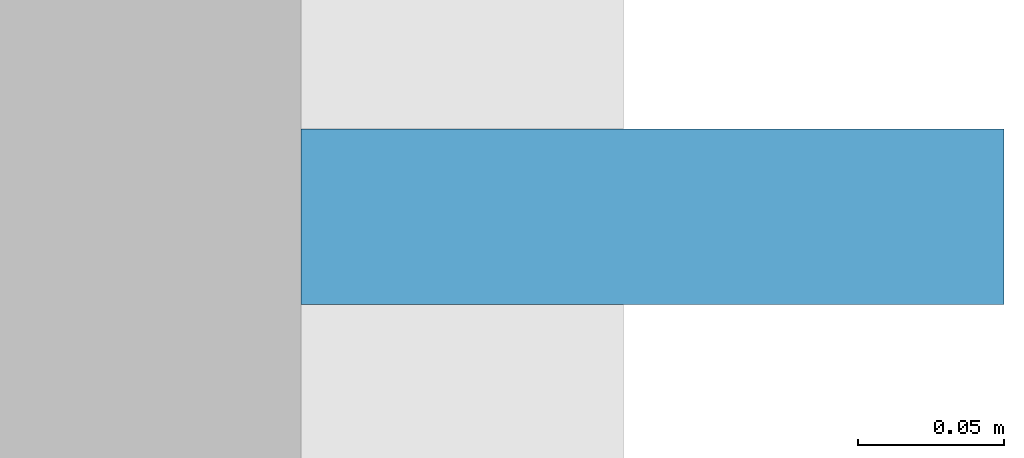
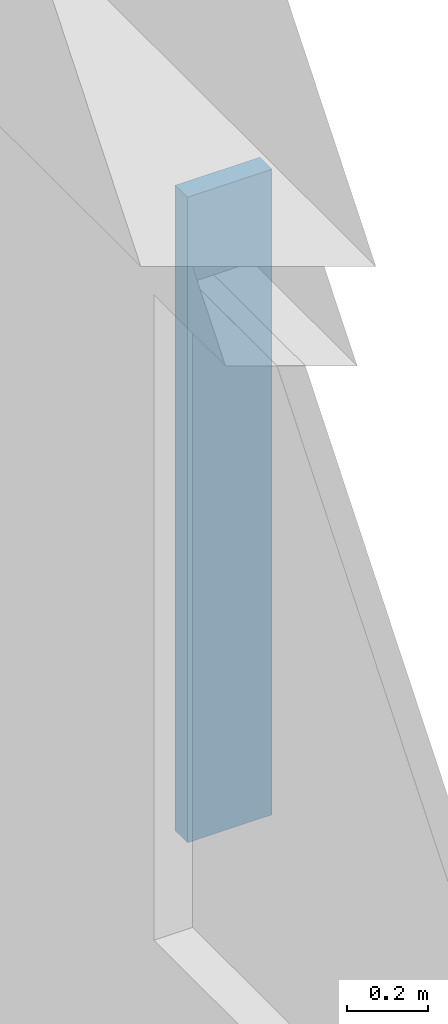
# One storey, part 4 of 9: 1 plate.
"""IFC4 building model written with IfcOpenShell, lengths in metres."""

from ifc_helpers import new_model, si_unit, direction, frame, origin, origin_2d, place, context, subcontext, project, spatial, rectangle, extrude, material, type_object, element, save


model = new_model("IFC4")

# Units and contexts
model_context = context("Model", 3, precision=1e-05, world=origin(), true_north=direction((0.0, 1.0)))
body_context = subcontext(model_context, "Body", "Model", "MODEL_VIEW")
ifc_project = project(units=[si_unit("LENGTHUNIT", "METRE"), si_unit("AREAUNIT", "SQUARE_METRE"), si_unit("VOLUMEUNIT", "CUBIC_METRE"), si_unit("PLANEANGLEUNIT", "RADIAN"), si_unit("MASSUNIT", "GRAM", prefix="KILO")], contexts=[model_context])

# Site, building, storey
site_placement = place(None, origin())
site = spatial("IfcSite", under=ifc_project, at=site_placement, CompositionType="ELEMENT")
building_placement = place(site_placement, origin())
building = spatial("IfcBuilding", under=site, at=building_placement, Name="Nhamokura Convention Tower", CompositionType="ELEMENT")
storey_placement = place(building_placement, frame((0.0, 0.0, 269.85009765625)))
storey = spatial("IfcBuildingStorey", under=building, at=storey_placement, Name="L66", CompositionType="ELEMENT", Elevation=269.85009765625)

# Plate
ifc_material = material(Name="Anodised bronze aluminium AA6063-T6", Category="aluminium")
plate_type = type_object("IfcPlateType", Name="BronzeSolarFin_3", PredefinedType="USERDEFINED", material=ifc_material)
plate_placement = place(storey_placement, frame((54.760009765625, 30.85009765625, 0.849853515625), z_axis=(0.0, 0.0, 1.0), x_axis=(1.0, 0.0, 0.0)))
element("IfcPlate", 1, at=plate_placement, inside=storey, type_object=plate_type, Name="L66 Bronze Solar Shading Fin EAST 2", ObjectType="SOLAR_FIN", PredefinedType="USERDEFINED", context=body_context, shape_type="SweptSolid", body=[
    extrude(rectangle(XDim=0.239990234375, YDim=0.06005859375, at=origin_2d()), origin(), (0.0, 0.0, 1.0), 1.93505859375),
])

save(model, "model.ifc")
